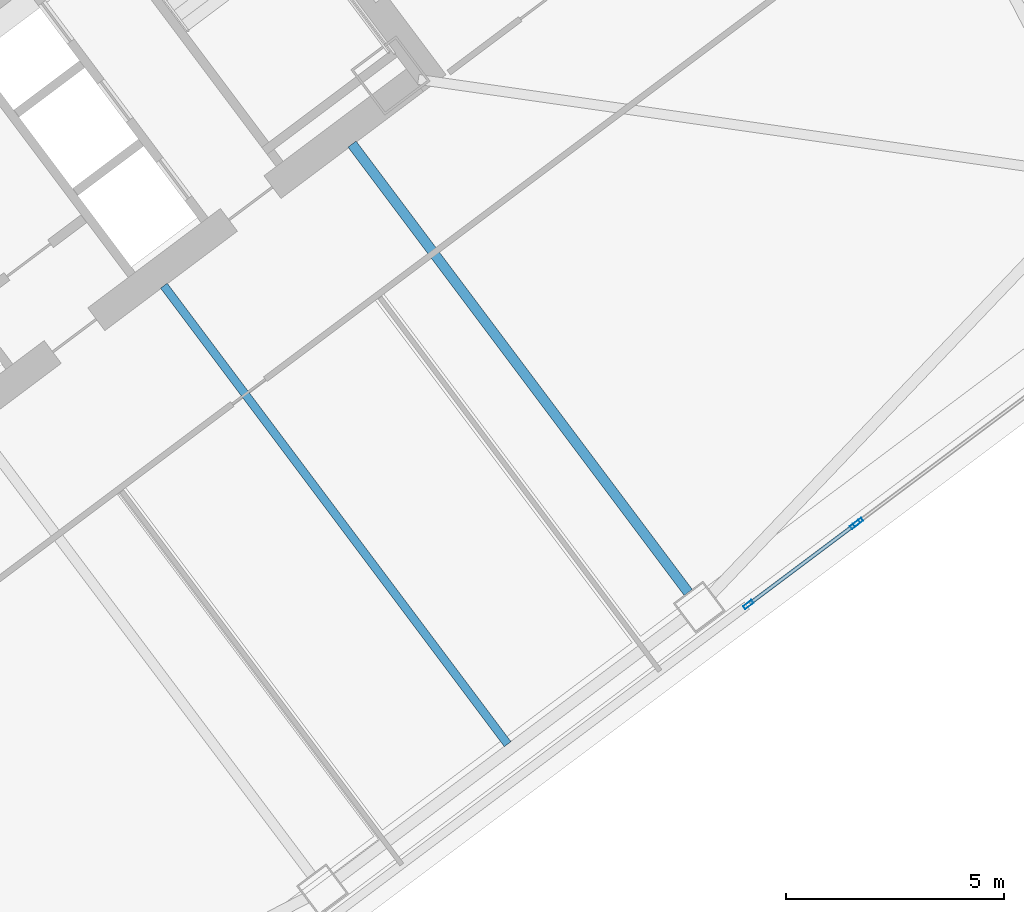
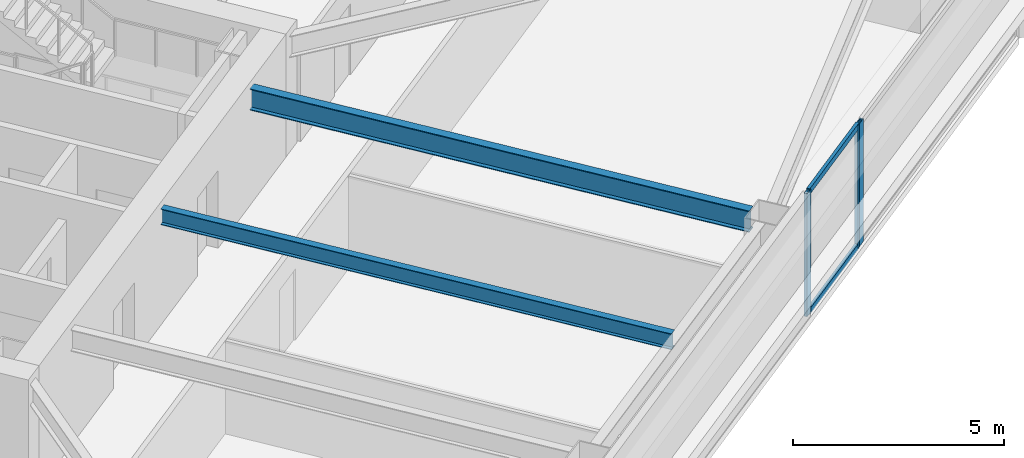
# One storey, part 23 of 46: 5 members, 2 beams, 2 elements without a shape of their own.
"""IFC4 building model written with IfcOpenShell, lengths in metres."""

from ifc_helpers import new_model, si_unit, direction, frame, origin, origin_2d, place, context, subcontext, project, spatial, hollow_rectangle, i_section, extrude, material, material_profile, profile_set, type_object, element, aggregate, save


model = new_model("IFC4")

# Units and contexts
model_context = context("Model", 3, precision=1e-05, world=origin(), true_north=direction((0.0, 1.0)))
body_context = subcontext(model_context, "Body", "Model", "MODEL_VIEW")
ifc_project = project(units=[si_unit("LENGTHUNIT", "METRE"), si_unit("AREAUNIT", "SQUARE_METRE"), si_unit("VOLUMEUNIT", "CUBIC_METRE"), si_unit("PLANEANGLEUNIT", "RADIAN"), si_unit("MASSUNIT", "GRAM", prefix="KILO")], contexts=[model_context])

# Site, building, storey
site_placement = place(None, origin())
site = spatial("IfcSite", under=ifc_project, at=site_placement, CompositionType="ELEMENT")
building_placement = place(site_placement, origin())
building = spatial("IfcBuilding", under=site, at=building_placement, Name="Tashvorn Skyway Center", CompositionType="ELEMENT")
storey_placement = place(building_placement, frame((0.0, 0.0, 31.699951171875)))
storey = spatial("IfcBuildingStorey", under=building, at=storey_placement, Name="L07", CompositionType="ELEMENT", Elevation=31.699951171875)

# Beams
ifc_material_1 = material(Name="Steel ASTM A992 Grade 50", Category="steel")
ifc_material_profile_1 = material_profile(ifc_material_1, i_section(OverallWidth=0.22998046875, OverallDepth=0.616943359375, WebThickness=0.01318359375, FlangeThickness=0.022216796875, at=origin_2d()), Name="W24X94")
ifc_profile_set_1 = profile_set([ifc_material_profile_1], Name="Steel ASTM A992 Grade 50")
beam_type_1 = type_object("IfcBeamType", Name="BM-BEAM-W24X94", PredefinedType="BEAM", material=ifc_profile_set_1)
beam_1_placement = place(storey_placement, frame((130.697998046875, 18.736083984375, 3.04150390625), z_axis=(-0.599996960112, 0.800002279907, 0.0), x_axis=(-0.800002279907, -0.599996960112, 0.0)))
element("IfcBeam", 1, at=beam_1_placement, inside=storey, type_object=beam_type_1, Name="Tower 2 L07 Primary Floor Girder FC-S2", PredefinedType="BEAM", context=body_context, shape_type="SweptSolid", body=[
    extrude(i_section(OverallWidth=0.22998046875, OverallDepth=0.616943359375, WebThickness=0.01318359375, FlangeThickness=0.022216796875, at=origin_2d()), origin(), (0.0, 0.0, 1.0), 12.85009765625),
])
ifc_material_profile_2 = material_profile(ifc_material_1, i_section(OverallWidth=0.19091796875, OverallDepth=0.4599609375, WebThickness=0.010009765625, FlangeThickness=0.01611328125, at=origin_2d()), Name="W18X55")
ifc_profile_set_2 = profile_set([ifc_material_profile_2], Name="Steel ASTM A992 Grade 50")
beam_type_2 = type_object("IfcBeamType", Name="BM-JOIST-W18X55", PredefinedType="JOIST", material=ifc_profile_set_2)
beam_2_placement = place(storey_placement, frame((118.674072265625, 25.76806640625, 3.1201171875), z_axis=(0.600002972791, -0.799997770398, 0.0), x_axis=(0.799997770398, 0.600002972791, 0.0)))
element("IfcBeam", 2, at=beam_2_placement, inside=storey, type_object=beam_type_2, Name="Tower 2 L07 Secondary Composite Joist JS", PredefinedType="JOIST", context=body_context, shape_type="SweptSolid", body=[
    extrude(i_section(OverallWidth=0.19091796875, OverallDepth=0.4599609375, WebThickness=0.010009765625, FlangeThickness=0.01611328125, at=origin_2d()), origin(), (0.0, 0.0, 1.0), 13.139892578125),
])

# Curtain wall, member
ifc_material_2 = material(Name="Thermally broken bronze-anodized aluminium 6063-T6", Category="aluminium")
curtain_wall_type = type_object("IfcCurtainWallType", Name="CW-CW-Z1", PredefinedType="NOTDEFINED", material=ifc_material_2)
curtain_wall_1_placement = place(storey_placement, origin())
curtain_wall_1 = element("IfcCurtainWall", 3, at=curtain_wall_1_placement, inside=storey, type_object=curtain_wall_type, Name="Tower 2 L07 South Unitised Curtain Wall Glazing Group 1", PredefinedType="NOTDEFINED")
ifc_material_profile_3 = material_profile(ifc_material_2, hollow_rectangle(XDim=0.0849609375, YDim=0.239990234375, WallThickness=0.0048828125, at=origin_2d()), Name="ALU-MULL-85x240")
ifc_profile_set_3 = profile_set([ifc_material_profile_3], Name="Thermally broken bronze-anodized aluminium 6063-T6")
member_type_1 = type_object("IfcMemberType", Name="CWM-CW-Z1", PredefinedType="MULLION", material=ifc_profile_set_3)
member_1_placement = place(storey_placement, frame((134.593994140625, 20.345458984375, 0.0), z_axis=(0.0, 0.0, 1.0), x_axis=(0.600000000002, -0.799999999998, 0.0)))
member_1 = element("IfcMember", 4, at=member_1_placement, type_object=member_type_1, Name="CW-Z1 mullion 2", PredefinedType="MULLION", context=body_context, shape_type="SweptSolid", body=[
    extrude(hollow_rectangle(XDim=0.0849609375, YDim=0.239990234375, WallThickness=0.0048828125, at=origin_2d()), origin(), (0.0, 0.0, 1.0), 3.550048828125),
])
aggregate(curtain_wall_1, [member_1])

# Curtain wall, members
curtain_wall_2_placement = place(storey_placement, origin())
curtain_wall_2 = element("IfcCurtainWall", 5, at=curtain_wall_2_placement, inside=storey, type_object=curtain_wall_type, Name="Tower 2 L07 South Unitised Curtain Wall Glazing Group 2", PredefinedType="NOTDEFINED")
member_2_placement = place(storey_placement, frame((134.52587890625, 20.29443359375, 0.0), z_axis=(0.0, 0.0, 1.0), x_axis=(0.600005084776, -0.799996186392, 0.0)))
member_2 = element("IfcMember", 6, at=member_2_placement, type_object=member_type_1, Name="CW-Z1 mullion 1", PredefinedType="MULLION", context=body_context, shape_type="SweptSolid", body=[
    extrude(hollow_rectangle(XDim=0.0849609375, YDim=0.239990234375, WallThickness=0.0048828125, at=origin_2d()), origin(), (0.0, 0.0, 1.0), 3.550048828125),
])
member_3_placement = place(storey_placement, frame((132.07666015625, 18.45751953125, 0.0), z_axis=(0.0, 0.0, 1.0), x_axis=(0.600005084776, -0.799996186392, 0.0)))
member_3 = element("IfcMember", 7, at=member_3_placement, type_object=member_type_1, Name="CW-Z1 mullion 2", PredefinedType="MULLION", context=body_context, shape_type="SweptSolid", body=[
    extrude(hollow_rectangle(XDim=0.0849609375, YDim=0.239990234375, WallThickness=0.0048828125, at=origin_2d()), origin(), (0.0, 0.0, 1.0), 3.550048828125),
])
ifc_material_profile_4 = material_profile(ifc_material_2, hollow_rectangle(XDim=0.0849609375, YDim=0.1650390625, WallThickness=0.0048828125, at=origin_2d()), Name="ALU-TRAN-85x165")
ifc_profile_set_4 = profile_set([ifc_material_profile_4], Name="Thermally broken bronze-anodized aluminium 6063-T6")
member_type_2 = type_object("IfcMemberType", Name="CWT-CW-Z1", PredefinedType="USERDEFINED", material=ifc_profile_set_4)
member_4_placement = place(storey_placement, frame((134.491943359375, 20.26904296875, 0.04248046875), z_axis=(-0.799980315822, -0.600026244674, 0.0), x_axis=(0.600026244674, -0.799980315822, 0.0)))
member_4 = element("IfcMember", 8, at=member_4_placement, type_object=member_type_2, Name="CW-Z1 transom 1.1", ObjectType="TRANSOM", PredefinedType="USERDEFINED", context=body_context, shape_type="SweptSolid", body=[
    extrude(hollow_rectangle(XDim=0.0849609375, YDim=0.1650390625, WallThickness=0.0048828125, at=origin_2d()), origin(), (0.0, 0.0, 1.0), 2.976806640625),
])
member_5_placement = place(storey_placement, frame((134.491943359375, 20.26904296875, 3.507568359375), z_axis=(-0.799980315822, -0.600026244674, 0.0), x_axis=(0.600026244674, -0.799980315822, 0.0)))
member_5 = element("IfcMember", 9, at=member_5_placement, type_object=member_type_2, Name="CW-Z1 transom 1.2", ObjectType="TRANSOM", PredefinedType="USERDEFINED", context=body_context, shape_type="SweptSolid", body=[
    extrude(hollow_rectangle(XDim=0.0849609375, YDim=0.1650390625, WallThickness=0.0048828125, at=origin_2d()), origin(), (0.0, 0.0, 1.0), 2.976806640625),
])
aggregate(curtain_wall_2, [member_2, member_3, member_4, member_5])

save(model, "model.ifc")
